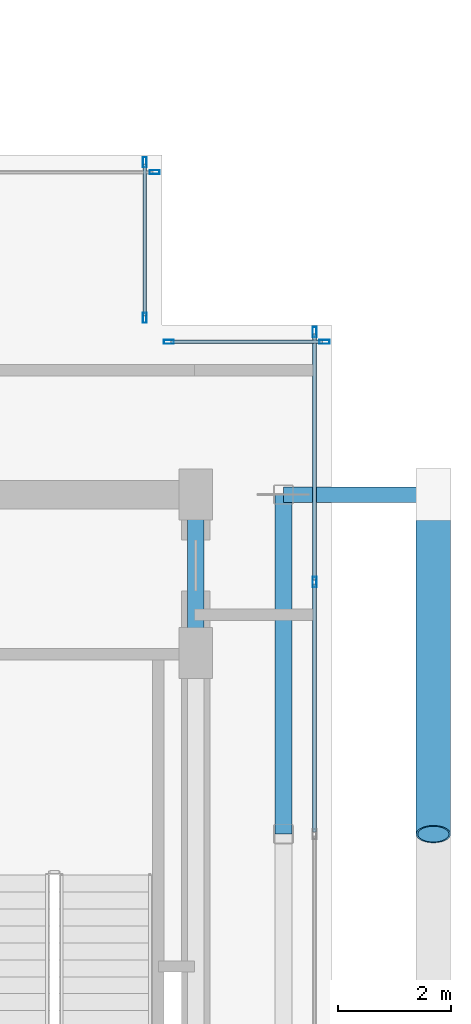
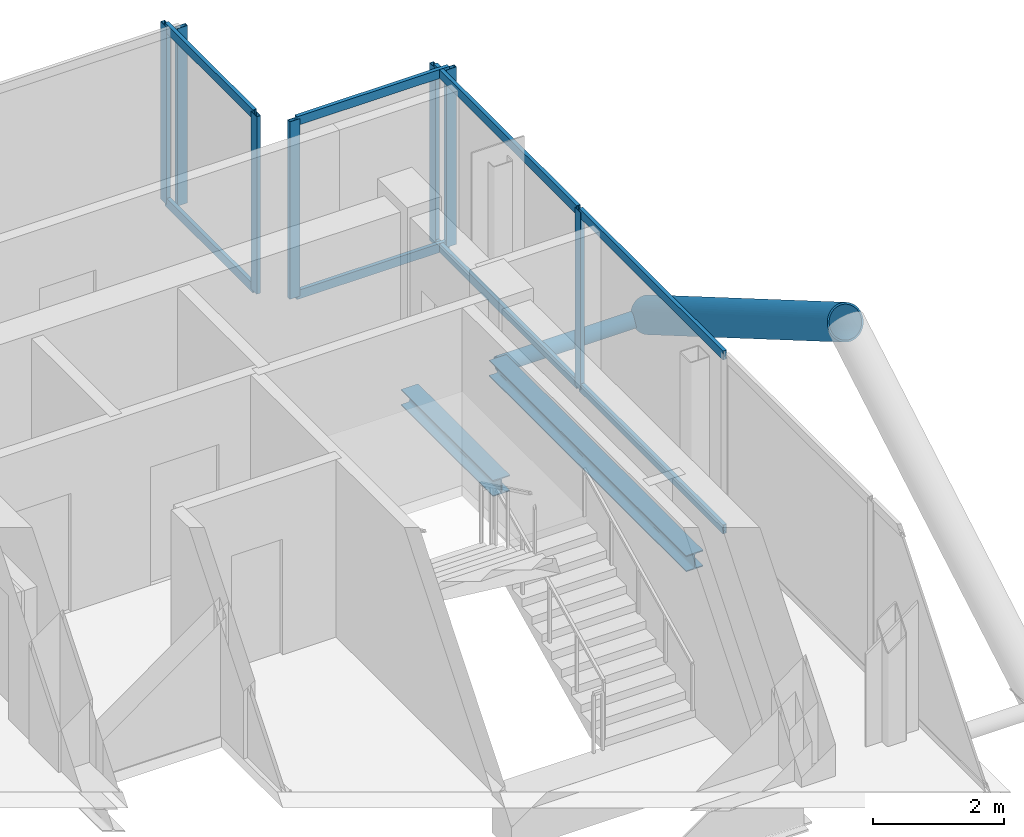
# One storey, part 12 of 18: 17 members, 2 beams, 4 elements without a shape of their own.
"""IFC4 building model written with IfcOpenShell, lengths in metres."""

from ifc_helpers import new_model, si_unit, direction, frame, origin, origin_2d, place, context, subcontext, project, spatial, hollow_rectangle, hollow_circle, i_section, extrude, material, layer, layer_set, material_profile, profile_set, type_object, element, aggregate, save


model = new_model("IFC4")

# Units and contexts
model_context = context("Model", 3, precision=1e-05, world=origin(), true_north=direction((0.0, 1.0)))
body_context = subcontext(model_context, "Body", "Model", "MODEL_VIEW")
ifc_project = project(units=[si_unit("LENGTHUNIT", "METRE"), si_unit("AREAUNIT", "SQUARE_METRE"), si_unit("VOLUMEUNIT", "CUBIC_METRE"), si_unit("PLANEANGLEUNIT", "RADIAN"), si_unit("MASSUNIT", "GRAM", prefix="KILO"), si_unit("THERMODYNAMICTEMPERATUREUNIT", "KELVIN"), si_unit("POWERUNIT", "WATT")], contexts=[model_context])

# Site, building, storey
site_placement = place(None, origin())
site = spatial("IfcSite", under=ifc_project, at=site_placement, CompositionType="ELEMENT")
building_placement = place(site_placement, origin())
building = spatial("IfcBuilding", under=site, at=building_placement, Name="Svarakhadi Broadcast Tower", CompositionType="ELEMENT")
storey_placement = place(building_placement, frame((0.0, 0.0, 278.199951171875)))
storey = spatial("IfcBuildingStorey", under=building, at=storey_placement, Name="L70", CompositionType="ELEMENT", Elevation=278.199951171875)

# Curtain wall, member
ifc_material_1 = material(Name="Anodised Bronze Aluminium AA 6063-T6", Category="aluminium")
ifc_layer = layer(ifc_material_1, 0.179931640625)
ifc_layer_set = layer_set([ifc_layer], Name="Anodised Bronze Aluminium AA 6063-T6")
curtain_wall_type = type_object("IfcCurtainWallType", Name="CW_Sys_05", PredefinedType="NOTDEFINED", material=ifc_layer_set)
curtain_wall_1_placement = place(storey_placement, origin())
curtain_wall_1 = element("IfcCurtainWall", 1, at=curtain_wall_1_placement, inside=storey, type_object=curtain_wall_type, Name="L70 Unitised Facade Curtain Wall 10", PredefinedType="NOTDEFINED")
ifc_material_profile_1 = material_profile(ifc_material_1, hollow_rectangle(XDim=0.070068359375, YDim=0.179931640625, WallThickness=0.005615234375, at=origin_2d()), Name="ALU MULLION 180x70x6")
ifc_profile_set_1 = profile_set([ifc_material_profile_1], Name="Anodised Bronze Aluminium AA 6063-T6")
member_type_1 = type_object("IfcMemberType", Name="CW_Sys_05_Mul", PredefinedType="MULLION", material=ifc_profile_set_1)
member_1_placement = place(storey_placement, frame((32.875, 23.699951171875, 0.0), z_axis=(0.0, 0.0, 1.0), x_axis=(0.0, 1.0, 0.0)))
member_1 = element("IfcMember", 2, at=member_1_placement, type_object=member_type_1, Name="CW-05 mullion 2", PredefinedType="MULLION", context=body_context, shape_type="SweptSolid", body=[
    extrude(hollow_rectangle(XDim=0.070068359375, YDim=0.179931640625, WallThickness=0.005615234375, at=origin_2d()), origin(), (0.0, 0.0, 1.0), 3.300048828125),
])
aggregate(curtain_wall_1, [member_1])

# Curtain wall, members
curtain_wall_2_placement = place(storey_placement, origin())
curtain_wall_2 = element("IfcCurtainWall", 3, at=curtain_wall_2_placement, inside=storey, type_object=curtain_wall_type, Name="L70 Unitised Facade Curtain Wall 11", PredefinedType="NOTDEFINED")
member_2_placement = place(storey_placement, frame((32.699951171875, 23.875, 0.0), z_axis=(0.0, 0.0, 1.0), x_axis=(1.0, 0.0, 0.0)))
member_2 = element("IfcMember", 4, at=member_2_placement, type_object=member_type_1, Name="CW-05 mullion 1", PredefinedType="MULLION", context=body_context, shape_type="SweptSolid", body=[
    extrude(hollow_rectangle(XDim=0.070068359375, YDim=0.179931640625, WallThickness=0.005615234375, at=origin_2d()), origin(), (0.0, 0.0, 1.0), 3.300048828125),
])
member_3_placement = place(storey_placement, frame((32.699951171875, 21.125, 0.0), z_axis=(0.0, 0.0, 1.0), x_axis=(1.0, 0.0, 0.0)))
member_3 = element("IfcMember", 5, at=member_3_placement, type_object=member_type_1, Name="CW-05 mullion 2", PredefinedType="MULLION", context=body_context, shape_type="SweptSolid", body=[
    extrude(hollow_rectangle(XDim=0.070068359375, YDim=0.179931640625, WallThickness=0.005615234375, at=origin_2d()), origin(), (0.0, 0.0, 1.0), 3.300048828125),
])

curtain_wall_3_placement = place(storey_placement, origin())
curtain_wall_3 = element("IfcCurtainWall", 6, at=curtain_wall_3_placement, inside=storey, type_object=curtain_wall_type, Name="L70 Unitised Facade Curtain Wall 12", PredefinedType="NOTDEFINED")
member_4_placement = place(storey_placement, frame((33.125, 20.699951171875, 0.0), z_axis=(0.0, 0.0, 1.0), x_axis=(0.0, 1.0, 0.0)))
member_4 = element("IfcMember", 7, at=member_4_placement, type_object=member_type_1, Name="CW-05 mullion 1", PredefinedType="MULLION", context=body_context, shape_type="SweptSolid", body=[
    extrude(hollow_rectangle(XDim=0.070068359375, YDim=0.179931640625, WallThickness=0.005615234375, at=origin_2d()), origin(), (0.0, 0.0, 1.0), 3.300048828125),
])
member_5_placement = place(storey_placement, frame((35.875, 20.699951171875, 0.0), z_axis=(0.0, 0.0, 1.0), x_axis=(0.0, 1.0, 0.0)))
member_5 = element("IfcMember", 8, at=member_5_placement, type_object=member_type_1, Name="CW-05 mullion 2", PredefinedType="MULLION", context=body_context, shape_type="SweptSolid", body=[
    extrude(hollow_rectangle(XDim=0.070068359375, YDim=0.179931640625, WallThickness=0.005615234375, at=origin_2d()), origin(), (0.0, 0.0, 1.0), 3.300048828125),
])

curtain_wall_4_placement = place(storey_placement, origin())
curtain_wall_4 = element("IfcCurtainWall", 9, at=curtain_wall_4_placement, inside=storey, type_object=curtain_wall_type, Name="L70 Unitised Facade Curtain Wall 13", PredefinedType="NOTDEFINED")
member_6_placement = place(storey_placement, frame((35.699951171875, 20.875, 0.0), z_axis=(0.0, 0.0, 1.0), x_axis=(1.0, 0.0, 0.0)))
member_6 = element("IfcMember", 10, at=member_6_placement, type_object=member_type_1, Name="CW-05 mullion 1", PredefinedType="MULLION", context=body_context, shape_type="SweptSolid", body=[
    extrude(hollow_rectangle(XDim=0.070068359375, YDim=0.179931640625, WallThickness=0.005615234375, at=origin_2d()), origin(), (0.0, 0.0, 1.0), 3.300048828125),
])
member_7_placement = place(storey_placement, frame((35.699951171875, 16.455078125, 0.0), z_axis=(0.0, 0.0, 1.0), x_axis=(1.0, 0.0, 0.0)))
member_7 = element("IfcMember", 11, at=member_7_placement, type_object=member_type_1, Name="CW-05 mullion 2", PredefinedType="MULLION", context=body_context, shape_type="SweptSolid", body=[
    extrude(hollow_rectangle(XDim=0.070068359375, YDim=0.179931640625, WallThickness=0.005615234375, at=origin_2d()), origin(), (0.0, 0.0, 1.0), 3.300048828125),
])

# Member
ifc_material_profile_2 = material_profile(ifc_material_1, hollow_rectangle(XDim=0.06494140625, YDim=0.1650390625, WallThickness=0.0048828125, at=origin_2d()), Name="ALU TRANSOM 165x65x5")
ifc_profile_set_2 = profile_set([ifc_material_profile_2], Name="Anodised Bronze Aluminium AA 6063-T6")
member_type_2 = type_object("IfcMemberType", Name="CW_Sys_05_Trn", PredefinedType="USERDEFINED", material=ifc_profile_set_2)
member_8_placement = place(storey_placement, frame((32.699951171875, 23.840087890625, 0.032470703125), z_axis=(0.0, -1.0, 0.0), x_axis=(1.0, 0.0, 0.0)))
member_8 = element("IfcMember", 12, at=member_8_placement, type_object=member_type_2, Name="CW-05 transom 1.1", ObjectType="TRANSOM", PredefinedType="USERDEFINED", context=body_context, shape_type="SweptSolid", body=[
    extrude(hollow_rectangle(XDim=0.06494140625, YDim=0.1650390625, WallThickness=0.0048828125, at=origin_2d()), origin(), (0.0, 0.0, 1.0), 2.68017578125),
])

member_9_placement = place(storey_placement, frame((32.699951171875, 23.840087890625, 3.267578125), z_axis=(0.0, -1.0, 0.0), x_axis=(1.0, 0.0, 0.0)))
member_9 = element("IfcMember", 13, at=member_9_placement, type_object=member_type_2, Name="CW-05 transom 1.2", ObjectType="TRANSOM", PredefinedType="USERDEFINED", context=body_context, shape_type="SweptSolid", body=[
    extrude(hollow_rectangle(XDim=0.06494140625, YDim=0.1650390625, WallThickness=0.0048828125, at=origin_2d()), origin(), (0.0, 0.0, 1.0), 2.68017578125),
])

aggregate(curtain_wall_2, [member_2, member_3, member_8, member_9])

member_10_placement = place(storey_placement, frame((33.159912109375, 20.699951171875, 0.032470703125), z_axis=(1.0, 0.0, 0.0), x_axis=(0.0, 1.0, 0.0)))
member_10 = element("IfcMember", 14, at=member_10_placement, type_object=member_type_2, Name="CW-05 transom 1.1", ObjectType="TRANSOM", PredefinedType="USERDEFINED", context=body_context, shape_type="SweptSolid", body=[
    extrude(hollow_rectangle(XDim=0.06494140625, YDim=0.1650390625, WallThickness=0.0048828125, at=origin_2d()), origin(), (0.0, 0.0, 1.0), 2.68017578125),
])

member_11_placement = place(storey_placement, frame((33.159912109375, 20.699951171875, 3.267578125), z_axis=(1.0, 0.0, 0.0), x_axis=(0.0, 1.0, 0.0)))
member_11 = element("IfcMember", 15, at=member_11_placement, type_object=member_type_2, Name="CW-05 transom 1.2", ObjectType="TRANSOM", PredefinedType="USERDEFINED", context=body_context, shape_type="SweptSolid", body=[
    extrude(hollow_rectangle(XDim=0.06494140625, YDim=0.1650390625, WallThickness=0.0048828125, at=origin_2d()), origin(), (0.0, 0.0, 1.0), 2.68017578125),
])

aggregate(curtain_wall_3, [member_4, member_5, member_10, member_11])

member_12_placement = place(storey_placement, frame((35.699951171875, 20.840087890625, 0.032470703125), z_axis=(0.0, -1.0, 0.0), x_axis=(1.0, 0.0, 0.0)))
member_12 = element("IfcMember", 16, at=member_12_placement, type_object=member_type_2, Name="CW-05 transom 1.1", ObjectType="TRANSOM", PredefinedType="USERDEFINED", context=body_context, shape_type="SweptSolid", body=[
    extrude(hollow_rectangle(XDim=0.06494140625, YDim=0.1650390625, WallThickness=0.0048828125, at=origin_2d()), origin(), (0.0, 0.0, 1.0), 4.35009765625),
])

member_13_placement = place(storey_placement, frame((35.699951171875, 20.840087890625, 3.267578125), z_axis=(0.0, -1.0, 0.0), x_axis=(1.0, 0.0, 0.0)))
member_13 = element("IfcMember", 17, at=member_13_placement, type_object=member_type_2, Name="CW-05 transom 1.2", ObjectType="TRANSOM", PredefinedType="USERDEFINED", context=body_context, shape_type="SweptSolid", body=[
    extrude(hollow_rectangle(XDim=0.06494140625, YDim=0.1650390625, WallThickness=0.0048828125, at=origin_2d()), origin(), (0.0, 0.0, 1.0), 4.35009765625),
])

member_14_placement = place(storey_placement, frame((35.699951171875, 16.419921875, 0.032470703125), z_axis=(0.0, -1.0, 0.0), x_axis=(1.0, 0.0, 0.0)))
member_14 = element("IfcMember", 18, at=member_14_placement, type_object=member_type_2, Name="CW-05 transom 2.1", ObjectType="TRANSOM", PredefinedType="USERDEFINED", context=body_context, shape_type="SweptSolid", body=[
    extrude(hollow_rectangle(XDim=0.06494140625, YDim=0.1650390625, WallThickness=0.0048828125, at=origin_2d()), origin(), (0.0, 0.0, 1.0), 4.385009765625),
])

member_15_placement = place(storey_placement, frame((35.699951171875, 16.419921875, 3.267578125), z_axis=(0.0, -1.0, 0.0), x_axis=(1.0, 0.0, 0.0)))
member_15 = element("IfcMember", 19, at=member_15_placement, type_object=member_type_2, Name="CW-05 transom 2.2", ObjectType="TRANSOM", PredefinedType="USERDEFINED", context=body_context, shape_type="SweptSolid", body=[
    extrude(hollow_rectangle(XDim=0.06494140625, YDim=0.1650390625, WallThickness=0.0048828125, at=origin_2d()), origin(), (0.0, 0.0, 1.0), 4.385009765625),
])

aggregate(curtain_wall_4, [member_6, member_7, member_12, member_13, member_14, member_15])

# Members
ifc_material_2 = material(Name="Steel S460ML (IS 2062 E450BR)", Category="steel")
ifc_material_profile_3 = material_profile(ifc_material_2, hollow_circle(Radius=0.304931640625, WallThickness=0.030029296875, at=origin_2d()), Name="CHS 610x30")
ifc_profile_set_3 = profile_set([ifc_material_profile_3], Name="Steel S460ML (IS 2062 E450BR)")
member_type_3 = type_object("IfcMemberType", Name="Exo_Brace_CHS610", PredefinedType="BRACE", material=ifc_profile_set_3)
member_16_placement = place(storey_placement, frame((37.800048828125, 18.0, -0.33642578125), z_axis=(0.0, -0.863778900898, 0.503871025524), x_axis=(1.0, 0.0, 0.0)))
element("IfcMember", 20, at=member_16_placement, inside=storey, type_object=member_type_3, Name="L70 Exposed Bronze Exoskeleton Diagonal E03", PredefinedType="BRACE", context=body_context, shape_type="SweptSolid", body=[
    extrude(hollow_circle(Radius=0.304931640625, WallThickness=0.030029296875, at=origin_2d()), origin(), (0.0, 0.0, 1.0), 6.9462890625),
])
ifc_material_profile_4 = material_profile(ifc_material_2, hollow_circle(Radius=0.136474609375, WallThickness=0.012451171875, at=origin_2d()), Name="CHS 273x12.5")
ifc_profile_set_4 = profile_set([ifc_material_profile_4], Name="Steel S460ML (IS 2062 E450BR)")
member_type_4 = type_object("IfcMemberType", Name="Exo_Radial_Strut_Z3", PredefinedType="STRUT", material=ifc_profile_set_4)
member_17_placement = place(storey_placement, frame((37.800048828125, 18.0, -0.33642578125), z_axis=(-1.0, 0.0, 0.0), x_axis=(0.0, -1.0, 0.0)))
element("IfcMember", 21, at=member_17_placement, inside=storey, type_object=member_type_4, Name="L70 Exoskeleton Radial Tie Strut E06", PredefinedType="STRUT", context=body_context, shape_type="SweptSolid", body=[
    extrude(hollow_circle(Radius=0.136474609375, WallThickness=0.012451171875, at=origin_2d()), origin(), (0.0, 0.0, 1.0), 2.650146484375),
])

# Beams
ifc_material_3 = material(Name="Steel S355J2 (IS 2062 E350C)", Category="steel")
ifc_material_profile_5 = material_profile(ifc_material_3, i_section(OverallWidth=0.300048828125, OverallDepth=0.300048828125, WebThickness=0.010986328125, FlangeThickness=0.01904296875, FilletRadius=0.027099609375, at=origin_2d()), Name="WPB 300x300x117")
ifc_profile_set_5 = profile_set([ifc_material_profile_5], Name="Steel S355J2 (IS 2062 E350C)")
beam_type = type_object("IfcBeamType", Name="Girder_WPB300", PredefinedType="USERDEFINED", material=ifc_profile_set_5)
beam_1_placement = place(storey_placement, frame((33.60009765625, 15.199951171875, -0.349853515625), z_axis=(0.0, 1.0, 0.0), x_axis=(-1.0, 0.0, 0.0)))
element("IfcBeam", 22, at=beam_1_placement, inside=storey, type_object=beam_type, Name="L70 Primary N-S Girder G044", ObjectType="GIRDER", PredefinedType="USERDEFINED", context=body_context, shape_type="SweptSolid", body=[
    extrude(i_section(OverallWidth=0.300048828125, OverallDepth=0.300048828125, WebThickness=0.010986328125, FlangeThickness=0.01904296875, FilletRadius=0.027099609375, at=origin_2d()), origin(), (0.0, 0.0, 1.0), 2.800048828125),
])
beam_2_placement = place(storey_placement, frame((35.14990234375, 12.0, -0.349853515625), z_axis=(0.0, 1.0, 0.0), x_axis=(-1.0, 0.0, 0.0)))
element("IfcBeam", 23, at=beam_2_placement, inside=storey, type_object=beam_type, Name="L70 Primary N-S Girder G046", ObjectType="GIRDER", PredefinedType="USERDEFINED", context=body_context, shape_type="SweptSolid", body=[
    extrude(i_section(OverallWidth=0.300048828125, OverallDepth=0.300048828125, WebThickness=0.010986328125, FlangeThickness=0.01904296875, FilletRadius=0.027099609375, at=origin_2d()), origin(), (0.0, 0.0, 1.0), 6.0),
])

save(model, "model.ifc")
